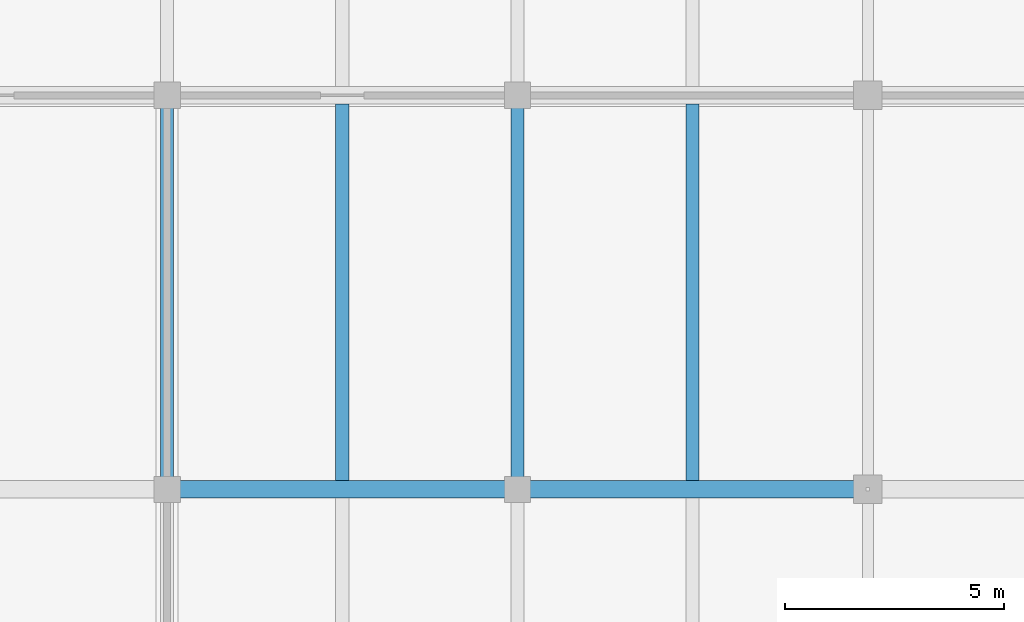
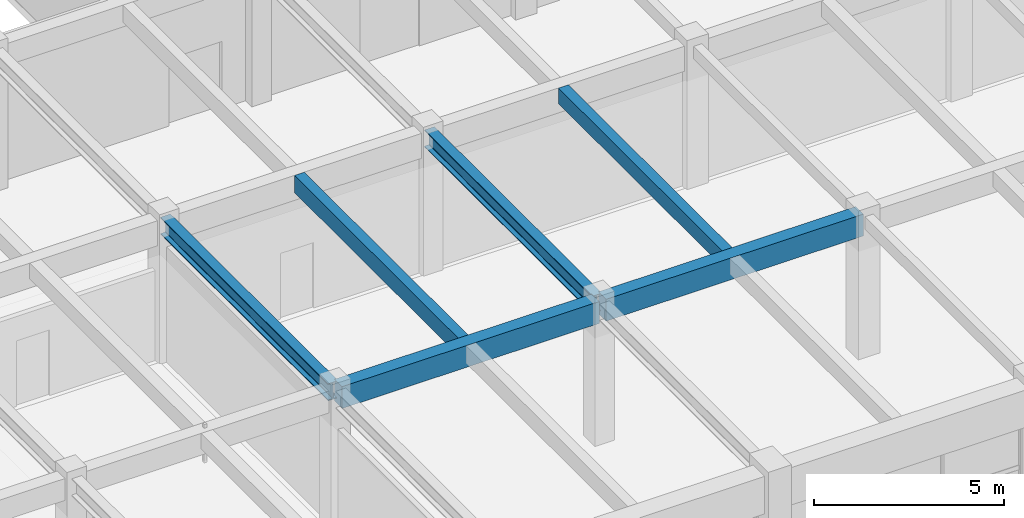
# One storey, part 88 of 144: 6 beams.
"""IFC4 building model written with IfcOpenShell, lengths in metres."""

from ifc_helpers import new_model, si_unit, direction, frame, origin, origin_2d, place, context, subcontext, project, spatial, rectangle, i_section, extrude, material, material_profile, profile_set, type_object, element, save


model = new_model("IFC4")

# Units and contexts
model_context = context("Model", 3, precision=1e-05, world=origin(), true_north=direction((0.0, 1.0)))
body_context = subcontext(model_context, "Body", "Model", "MODEL_VIEW")
ifc_project = project(units=[si_unit("LENGTHUNIT", "METRE"), si_unit("AREAUNIT", "SQUARE_METRE"), si_unit("VOLUMEUNIT", "CUBIC_METRE"), si_unit("PLANEANGLEUNIT", "RADIAN"), si_unit("MASSUNIT", "GRAM", prefix="KILO")], contexts=[model_context])

# Site, building, storey
site_placement = place(None, origin())
site = spatial("IfcSite", under=ifc_project, at=site_placement, CompositionType="ELEMENT")
building_placement = place(site_placement, origin())
building = spatial("IfcBuilding", under=site, at=building_placement, Name="Varnabhumi Central Station", CompositionType="ELEMENT")
storey_placement = place(building_placement, frame((0.0, 0.0, 4.800048828125)))
storey = spatial("IfcBuildingStorey", under=building, at=storey_placement, Name="L01", CompositionType="ELEMENT", Elevation=4.800048828125)

# Beams
ifc_material_1 = material(Name="Concrete M40", Category="concrete")
ifc_material_profile_1 = material_profile(ifc_material_1, rectangle(XDim=0.300048828125, YDim=0.5, at=origin_2d()), Name="Concrete M40", Category="concrete")
ifc_profile_set_1 = profile_set([ifc_material_profile_1], Name="Concrete M40")
beam_type_1 = type_object("IfcBeamType", Name="BM-RC-300x500", PredefinedType="JOIST", material=ifc_profile_set_1)
beam_1_placement = place(storey_placement, frame((140.0, 89.199951171875, 4.300048828125), z_axis=(0.0, 1.0, 0.0), x_axis=(-1.0, 0.0, 0.0)))
element("IfcBeam", 1, at=beam_1_placement, inside=storey, type_object=beam_type_1, Name="Secondary Joist L01-18/19:L-M", PredefinedType="JOIST", context=body_context, shape_type="SweptSolid", body=[
    extrude(rectangle(XDim=0.300048828125, YDim=0.5, at=origin_2d()), origin(), (0.0, 0.0, 1.0), 8.60009765625),
])
ifc_material_profile_2 = material_profile(ifc_material_1, rectangle(XDim=0.300048828125, YDim=0.550048828125, at=origin_2d()), Name="Concrete M40", Category="concrete")
ifc_profile_set_2 = profile_set([ifc_material_profile_2], Name="Concrete M40")
beam_type_2 = type_object("IfcBeamType", Name="BM-RC-300x550", PredefinedType="JOIST", material=ifc_profile_set_2)
beam_2_placement = place(storey_placement, frame((132.0, 89.199951171875, 4.27490234375), z_axis=(0.0, 1.0, 0.0), x_axis=(-1.0, 0.0, 0.0)))
element("IfcBeam", 2, at=beam_2_placement, inside=storey, type_object=beam_type_2, Name="Secondary Joist L01-17/18:L-M", PredefinedType="JOIST", context=body_context, shape_type="SweptSolid", body=[
    extrude(rectangle(XDim=0.300048828125, YDim=0.550048828125, at=origin_2d()), origin(), (0.0, 0.0, 1.0), 8.60009765625),
])
ifc_material_profile_3 = material_profile(ifc_material_1, rectangle(XDim=0.39990234375, YDim=0.699951171875, at=origin_2d()), Name="Concrete M40", Category="concrete")
ifc_profile_set_3 = profile_set([ifc_material_profile_3], Name="Concrete M40")
beam_type_3 = type_object("IfcBeamType", Name="BM-RC-400x700", PredefinedType="BEAM", material=ifc_profile_set_3)
for number, where, z_axis, x_axis, name in (
    (3, (128.10009765625, 89.0, 4.199951171875), (1.0, 0.0, 0.0), (0.0, 1.0, 0.0), "Beam L01-L:17-18"),
    (4, (136.10009765625, 89.0, 4.199951171875), (1.0, 0.0, 0.0), (0.0, 1.0, 0.0), "Beam L01-L:18-19"),
):
    element("IfcBeam", number, at=place(storey_placement, frame(where, z_axis=z_axis, x_axis=x_axis)), inside=storey, type_object=beam_type_3, Name=name, PredefinedType="BEAM", context=body_context, shape_type="SweptSolid", body=[
        extrude(rectangle(XDim=0.39990234375, YDim=0.699951171875, at=origin_2d()), origin(), (0.0, 0.0, 1.0), 7.7998046875),
    ])
ifc_material_2 = material(Name="Structural steel E350", Category="steel")
ifc_material_profile_4 = material_profile(ifc_material_2, i_section(OverallWidth=0.300048828125, OverallDepth=0.550048828125, WebThickness=0.014892578125, FlangeThickness=0.029052734375, FilletRadius=0.027099609375, at=origin_2d()), Name="Structural steel E350", Category="steel")
ifc_profile_set_4 = profile_set([ifc_material_profile_4], Name="Structural steel E350")
beam_type_4 = type_object("IfcBeamType", Name="BM-STL-WPB550", PredefinedType="BEAM", material=ifc_profile_set_4)
for number, where, z_axis, x_axis, name in (
    (5, (128.0, 89.10009765625, 4.27490234375), (0.0, 1.0, 0.0), (-1.0, 0.0, 0.0), "Beam L01-17:L-M"),
    (6, (136.0, 89.10009765625, 4.27490234375), (0.0, 1.0, 0.0), (-1.0, 0.0, 0.0), "Beam L01-18:L-M"),
):
    element("IfcBeam", number, at=place(storey_placement, frame(where, z_axis=z_axis, x_axis=x_axis)), inside=storey, type_object=beam_type_4, Name=name, PredefinedType="BEAM", context=body_context, shape_type="SweptSolid", body=[
        extrude(i_section(OverallWidth=0.300048828125, OverallDepth=0.550048828125, WebThickness=0.014892578125, FlangeThickness=0.029052734375, FilletRadius=0.027099609375, at=origin_2d()), origin(), (0.0, 0.0, 1.0), 8.7998046875),
    ])

save(model, "model.ifc")
